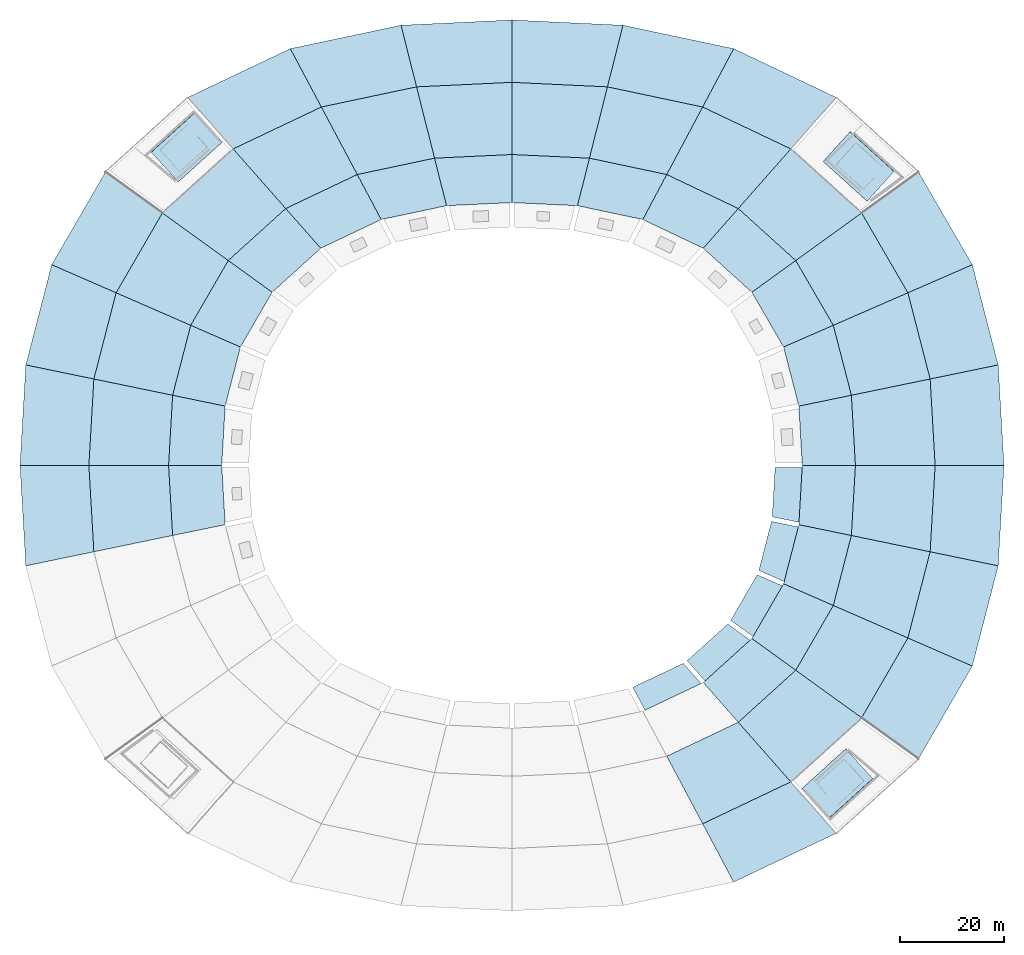
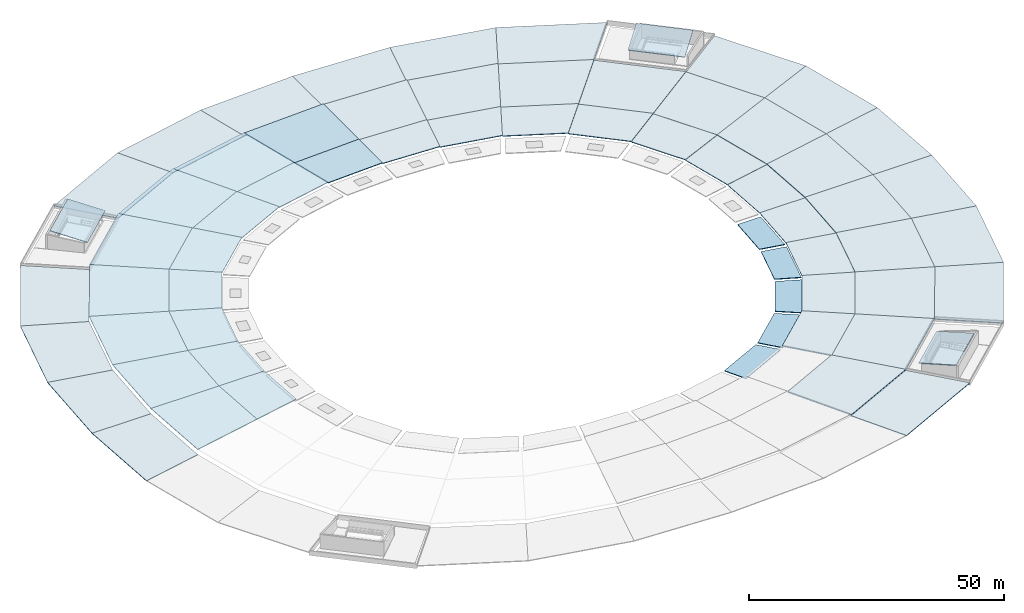
# One storey, part 3 of 5: 64 roofs.
"""IFC4 building model written with IfcOpenShell, lengths in metres."""

from ifc_helpers import new_model, si_unit, direction, frame, origin, place, context, subcontext, project, spatial, polyline, outline, extrude, material, layer, layer_set, type_object, element, save


model = new_model("IFC4")

# Units and contexts
model_context = context("Model", 3, precision=1e-05, world=origin(), true_north=direction((0.0, 1.0)))
body_context = subcontext(model_context, "Body", "Model", "MODEL_VIEW")
ifc_project = project(units=[si_unit("LENGTHUNIT", "METRE"), si_unit("AREAUNIT", "SQUARE_METRE"), si_unit("VOLUMEUNIT", "CUBIC_METRE"), si_unit("PLANEANGLEUNIT", "RADIAN"), si_unit("MASSUNIT", "GRAM", prefix="KILO")], contexts=[model_context])

# Site, building, storey
site_placement = place(None, origin())
site = spatial("IfcSite", under=ifc_project, at=site_placement, CompositionType="ELEMENT")
building_placement = place(site_placement, origin())
building = spatial("IfcBuilding", under=site, at=building_placement, Name="Kazemori Nagisa Stadium", CompositionType="ELEMENT")
storey_placement = place(building_placement, frame((0.0, 0.0, 42.159912109375)))
storey = spatial("IfcBuildingStorey", under=building, at=storey_placement, Name="ROOF", CompositionType="ELEMENT", Elevation=42.159912109375)

# Roofs
ifc_material = material(Name="Steel S355 (SN490B)", Category="steel")
ifc_layer = layer(ifc_material, 0.159912109375, Name="Steel S355 (SN490B)", Category="steel")
ifc_layer_set = layer_set([ifc_layer], Name="Steel S355 (SN490B)")
roof_type = type_object("IfcRoofType", Name="Roof_RF-CANOPY", PredefinedType="FREEFORM", material=ifc_layer_set)
roof_1_placement = place(storey_placement, frame((191.56982421875, 153.008544921875, 2.39013671875), z_axis=(-0.098497799083, -0.108806528187, 0.989171028185), x_axis=(-0.741358588876, 0.671109113854, -1.149066e-06)))
element("IfcRoof", 1, at=roof_1_placement, inside=storey, type_object=roof_type, Name="Stair headhouse pitched roof ROOF-B04", PredefinedType="FREEFORM", context=body_context, shape_type="SweptSolid", body=[
    extrude(outline(polyline([(0.0, 0.0), (11.4338207163621, 0.0), (11.433814147982389, -7.834950317376819), (-0.00017041337820971537, -7.834771281597817), (0.0, 0.0)])), origin(), (0.0, 0.0, -1.0), 0.159912109375),
])
for number, where, z_axis, x_axis, name in (
    (2, (67.00830078125, 164.39501953125, 2.39013671875), (0.09849978566, -0.108806991763, 0.989170779375), (-0.741348079794, -0.671120722811, 0.0), "Stair headhouse pitched roof ROOF-B11"),
    (3, (178.99169921875, 39.60498046875, 2.39013671875), (-0.09849978566, 0.108806991763, 0.989170779375), (0.741348079794, 0.671120722811, 0.0), "Stair headhouse pitched roof ROOF-B25"),
):
    element("IfcRoof", number, at=place(storey_placement, frame(where, z_axis=z_axis, x_axis=x_axis)), inside=storey, type_object=roof_type, Name=name, PredefinedType="FREEFORM", context=body_context, shape_type="SweptSolid", body=[
        extrude(outline(polyline([(0.0, 0.0), (11.433984562770004, 0.0), (11.434032297636989, -7.8347712833169805), (4.7734866984505686e-05, -7.83477128331698), (0.0, 0.0)])), origin(), (0.0, 0.0, -1.0), 0.159912109375),
    ])
roof_2_placement = place(storey_placement, frame((0.0, 0.0, 0.43505859375)))
element("IfcRoof", 4, at=roof_2_placement, inside=storey, type_object=roof_type, Name="Canopy roof deck sector B01-outer", PredefinedType="FREEFORM", context=body_context, shape_type="SweptSolid", body=[
    extrude(outline(polyline([(218.0, 102.0), (216.880859375, 121.397705078125), (203.737548828125, 118.68212890625), (204.699951171875, 102.0), (218.0, 102.0)])), origin(), (0.0, 0.0, 1.0), 0.159912109375),
])
roof_3_placement = place(storey_placement, frame((0.0, 0.0, 0.43505859375)))
element("IfcRoof", 5, at=roof_3_placement, inside=storey, type_object=roof_type, Name="Canopy roof deck sector B01-mid", PredefinedType="FREEFORM", context=body_context, shape_type="SweptSolid", body=[
    extrude(outline(polyline([(204.699951171875, 102.0), (203.737548828125, 118.68212890625), (188.52880859375, 115.53955078125), (189.31005859375, 102.0), (204.699951171875, 102.0)])), origin(), (0.0, 0.0, 1.0), 0.159912109375),
])
roof_4_placement = place(storey_placement, frame((0.0, 0.0, 0.273193359375)))
element("IfcRoof", 6, at=roof_4_placement, inside=storey, type_object=roof_type, Name="Canopy roof deck sector B01-inner", PredefinedType="FREEFORM", context=body_context, shape_type="SweptSolid", body=[
    extrude(outline(polyline([(189.31005859375, 102.0), (188.52880859375, 115.53955078125), (178.3896484375, 113.444580078125), (179.050048828125, 102.0), (189.31005859375, 102.0)])), origin(), (0.0, 0.0, 1.0), 0.159912109375),
])
roof_5_placement = place(storey_placement, frame((0.0, 0.0, 0.43505859375)))
element("IfcRoof", 7, at=roof_5_placement, inside=storey, type_object=roof_type, Name="Canopy roof deck sector B02-outer", PredefinedType="FREEFORM", context=body_context, shape_type="SweptSolid", body=[
    extrude(outline(polyline([(216.880859375, 121.397705078125), (211.885009765625, 140.74951171875), (199.44091796875, 135.32470703125), (203.737548828125, 118.68212890625), (216.880859375, 121.397705078125)])), origin(), (0.0, 0.0, 1.0), 0.159912109375),
])
roof_6_placement = place(storey_placement, frame((0.0, 0.0, 0.43505859375)))
element("IfcRoof", 8, at=roof_6_placement, inside=storey, type_object=roof_type, Name="Canopy roof deck sector B02-mid", PredefinedType="FREEFORM", context=body_context, shape_type="SweptSolid", body=[
    extrude(outline(polyline([(203.737548828125, 118.68212890625), (199.44091796875, 135.32470703125), (185.041748046875, 129.047119140625), (188.52880859375, 115.53955078125), (203.737548828125, 118.68212890625)])), origin(), (0.0, 0.0, 1.0), 0.159912109375),
])
roof_7_placement = place(storey_placement, frame((0.0, 0.0, 0.3271484375)))
element("IfcRoof", 9, at=roof_7_placement, inside=storey, type_object=roof_type, Name="Canopy roof deck sector B02-inner", PredefinedType="FREEFORM", context=body_context, shape_type="SweptSolid", body=[
    extrude(outline(polyline([(188.52880859375, 115.53955078125), (185.041748046875, 129.047119140625), (175.442138671875, 124.8623046875), (178.3896484375, 113.444580078125), (188.52880859375, 115.53955078125)])), origin(), (0.0, 0.0, 1.0), 0.159912109375),
])
roof_8_placement = place(storey_placement, frame((0.0, 0.0, 0.43505859375)))
element("IfcRoof", 10, at=roof_8_placement, inside=storey, type_object=roof_type, Name="Canopy roof deck sector B03-outer", PredefinedType="FREEFORM", context=body_context, shape_type="SweptSolid", body=[
    extrude(outline(polyline([(211.885009765625, 140.74951171875), (201.495361328125, 158.667724609375), (190.506103515625, 150.734130859375), (199.44091796875, 135.32470703125), (211.885009765625, 140.74951171875)])), origin(), (0.0, 0.0, 1.0), 0.159912109375),
])
roof_9_placement = place(storey_placement, frame((0.0, 0.0, 0.43505859375)))
element("IfcRoof", 11, at=roof_9_placement, inside=storey, type_object=roof_type, Name="Canopy roof deck sector B03-mid", PredefinedType="FREEFORM", context=body_context, shape_type="SweptSolid", body=[
    extrude(outline(polyline([(199.44091796875, 135.32470703125), (190.506103515625, 150.734130859375), (177.789794921875, 141.553955078125), (185.041748046875, 129.047119140625), (199.44091796875, 135.32470703125)])), origin(), (0.0, 0.0, 1.0), 0.159912109375),
])
roof_10_placement = place(storey_placement, frame((0.0, 0.0, 0.4130859375)))
element("IfcRoof", 12, at=roof_10_placement, inside=storey, type_object=roof_type, Name="Canopy roof deck sector B03-inner", PredefinedType="FREEFORM", context=body_context, shape_type="SweptSolid", body=[
    extrude(outline(polyline([(185.041748046875, 129.047119140625), (177.789794921875, 141.553955078125), (169.312255859375, 135.433837890625), (175.442138671875, 124.8623046875), (185.041748046875, 129.047119140625)])), origin(), (0.0, 0.0, 1.0), 0.159912109375),
])
roof_11_placement = place(storey_placement, frame((0.0, 0.0, 0.528076171875)))
element("IfcRoof", 13, at=roof_11_placement, inside=storey, type_object=roof_type, Name="Canopy roof deck sector B04-mid", PredefinedType="FREEFORM", context=body_context, shape_type="SweptSolid", body=[
    extrude(outline(polyline([(190.506103515625, 150.734130859375), (176.834228515625, 163.11083984375), (166.693359375, 151.59912109375), (177.789794921875, 141.553955078125), (190.506103515625, 150.734130859375)])), origin(), (0.0, 0.0, 1.0), 0.159912109375),
])
roof_12_placement = place(storey_placement, frame((0.0, 0.0, 0.528076171875)))
element("IfcRoof", 14, at=roof_12_placement, inside=storey, type_object=roof_type, Name="Canopy roof deck sector B04-inner", PredefinedType="FREEFORM", context=body_context, shape_type="SweptSolid", body=[
    extrude(outline(polyline([(177.789794921875, 141.553955078125), (166.693359375, 151.59912109375), (159.932861328125, 143.9248046875), (169.312255859375, 135.433837890625), (177.789794921875, 141.553955078125)])), origin(), (0.0, 0.0, 1.0), 0.159912109375),
])
roof_13_placement = place(storey_placement, frame((0.0, 0.0, 0.43505859375)))
element("IfcRoof", 15, at=roof_13_placement, inside=storey, type_object=roof_type, Name="Canopy roof deck sector B05-outer", PredefinedType="FREEFORM", context=body_context, shape_type="SweptSolid", body=[
    extrude(outline(polyline([(185.597900390625, 173.05908203125), (165.8046875, 182.46435546875), (159.81201171875, 171.19921875), (176.834228515625, 163.11083984375), (185.597900390625, 173.05908203125)])), origin(), (0.0, 0.0, 1.0), 0.159912109375),
])
roof_14_placement = place(storey_placement, frame((0.0, 0.0, 0.6650390625)))
element("IfcRoof", 16, at=roof_14_placement, inside=storey, type_object=roof_type, Name="Canopy roof deck sector B05-mid", PredefinedType="FREEFORM", context=body_context, shape_type="SweptSolid", body=[
    extrude(outline(polyline([(176.834228515625, 163.11083984375), (159.81201171875, 171.19921875), (152.877685546875, 158.1640625), (166.693359375, 151.59912109375), (176.834228515625, 163.11083984375)])), origin(), (0.0, 0.0, 1.0), 0.16015625),
])
roof_15_placement = place(storey_placement, frame((0.0, 0.0, 0.6650390625)))
element("IfcRoof", 17, at=roof_15_placement, inside=storey, type_object=roof_type, Name="Canopy roof deck sector B05-inner", PredefinedType="FREEFORM", context=body_context, shape_type="SweptSolid", body=[
    extrude(outline(polyline([(166.693359375, 151.59912109375), (152.877685546875, 158.1640625), (148.2548828125, 149.473876953125), (159.932861328125, 143.9248046875), (166.693359375, 151.59912109375)])), origin(), (0.0, 0.0, 1.0), 0.16015625),
])
roof_16_placement = place(storey_placement, frame((0.0, 0.0, 0.43505859375)))
element("IfcRoof", 18, at=roof_16_placement, inside=storey, type_object=roof_type, Name="Canopy roof deck sector B06-outer", PredefinedType="FREEFORM", context=body_context, shape_type="SweptSolid", body=[
    extrude(outline(polyline([(165.8046875, 182.46435546875), (144.427734375, 186.98681640625), (141.427734375, 175.088623046875), (159.81201171875, 171.19921875), (165.8046875, 182.46435546875)])), origin(), (0.0, 0.0, 1.0), 0.159912109375),
])
roof_17_placement = place(storey_placement, frame((0.0, 0.0, 0.819091796875)))
element("IfcRoof", 19, at=roof_17_placement, inside=storey, type_object=roof_type, Name="Canopy roof deck sector B06-mid", PredefinedType="FREEFORM", context=body_context, shape_type="SweptSolid", body=[
    extrude(outline(polyline([(159.81201171875, 171.19921875), (141.427734375, 175.088623046875), (137.95654296875, 161.32080078125), (152.877685546875, 158.1640625), (159.81201171875, 171.19921875)])), origin(), (0.0, 0.0, 1.0), 0.159912109375),
])
roof_18_placement = place(storey_placement, frame((0.0, 0.0, 0.819091796875)))
element("IfcRoof", 20, at=roof_18_placement, inside=storey, type_object=roof_type, Name="Canopy roof deck sector B06-inner", PredefinedType="FREEFORM", context=body_context, shape_type="SweptSolid", body=[
    extrude(outline(polyline([(152.877685546875, 158.1640625), (137.95654296875, 161.32080078125), (135.642333984375, 152.142333984375), (148.2548828125, 149.473876953125), (152.877685546875, 158.1640625)])), origin(), (0.0, 0.0, 1.0), 0.159912109375),
])
roof_19_placement = place(storey_placement, frame((0.0, 0.0, 0.43505859375)))
element("IfcRoof", 21, at=roof_19_placement, inside=storey, type_object=roof_type, Name="Canopy roof deck sector B07-outer", PredefinedType="FREEFORM", context=body_context, shape_type="SweptSolid", body=[
    extrude(outline(polyline([(144.427734375, 186.98681640625), (123.0, 188.0), (123.0, 175.9599609375), (141.427734375, 175.088623046875), (144.427734375, 186.98681640625)])), origin(), (0.0, 0.0, 1.0), 0.159912109375),
])
roof_20_placement = place(storey_placement, frame((0.0, 0.0, 0.97998046875)))
element("IfcRoof", 22, at=roof_20_placement, inside=storey, type_object=roof_type, Name="Canopy roof deck sector B07-mid", PredefinedType="FREEFORM", context=body_context, shape_type="SweptSolid", body=[
    extrude(outline(polyline([(141.427734375, 175.088623046875), (123.0, 175.9599609375), (123.0, 162.028076171875), (137.95654296875, 161.32080078125), (141.427734375, 175.088623046875)])), origin(), (0.0, 0.0, 1.0), 0.16015625),
])
roof_21_placement = place(storey_placement, frame((0.0, 0.0, 0.97998046875)))
element("IfcRoof", 23, at=roof_21_placement, inside=storey, type_object=roof_type, Name="Canopy roof deck sector B07-inner", PredefinedType="FREEFORM", context=body_context, shape_type="SweptSolid", body=[
    extrude(outline(polyline([(137.95654296875, 161.32080078125), (123.0, 162.028076171875), (123.0, 152.739990234375), (135.642333984375, 152.142333984375), (137.95654296875, 161.32080078125)])), origin(), (0.0, 0.0, 1.0), 0.16015625),
])
roof_22_placement = place(storey_placement, frame((0.0, 0.0, 0.43505859375)))
element("IfcRoof", 24, at=roof_22_placement, inside=storey, type_object=roof_type, Name="Canopy roof deck sector B08-outer", PredefinedType="FREEFORM", context=body_context, shape_type="SweptSolid", body=[
    extrude(outline(polyline([(123.0, 188.0), (101.572265625, 186.98681640625), (104.572265625, 175.088623046875), (123.0, 175.9599609375), (123.0, 188.0)])), origin(), (0.0, 0.0, 1.0), 0.159912109375),
])
roof_23_placement = place(storey_placement, frame((0.0, 0.0, 1.14111328125)))
element("IfcRoof", 25, at=roof_23_placement, inside=storey, type_object=roof_type, Name="Canopy roof deck sector B08-mid", PredefinedType="FREEFORM", context=body_context, shape_type="SweptSolid", body=[
    extrude(outline(polyline([(123.0, 175.9599609375), (104.572265625, 175.088623046875), (108.04345703125, 161.32080078125), (123.0, 162.028076171875), (123.0, 175.9599609375)])), origin(), (0.0, 0.0, 1.0), 0.159912109375),
])
roof_24_placement = place(storey_placement, frame((0.0, 0.0, 1.14111328125)))
element("IfcRoof", 26, at=roof_24_placement, inside=storey, type_object=roof_type, Name="Canopy roof deck sector B08-inner", PredefinedType="FREEFORM", context=body_context, shape_type="SweptSolid", body=[
    extrude(outline(polyline([(123.0, 162.028076171875), (108.04345703125, 161.32080078125), (110.357666015625, 152.142333984375), (123.0, 152.739990234375), (123.0, 162.028076171875)])), origin(), (0.0, 0.0, 1.0), 0.159912109375),
])
roof_25_placement = place(storey_placement, frame((0.0, 0.0, 0.43505859375)))
element("IfcRoof", 27, at=roof_25_placement, inside=storey, type_object=roof_type, Name="Canopy roof deck sector B09-outer", PredefinedType="FREEFORM", context=body_context, shape_type="SweptSolid", body=[
    extrude(outline(polyline([(101.572265625, 186.98681640625), (80.1953125, 182.46435546875), (86.18798828125, 171.19921875), (104.572265625, 175.088623046875), (101.572265625, 186.98681640625)])), origin(), (0.0, 0.0, 1.0), 0.159912109375),
])
roof_26_placement = place(storey_placement, frame((0.0, 0.0, 1.295166015625)))
element("IfcRoof", 28, at=roof_26_placement, inside=storey, type_object=roof_type, Name="Canopy roof deck sector B09-mid", PredefinedType="FREEFORM", context=body_context, shape_type="SweptSolid", body=[
    extrude(outline(polyline([(104.572265625, 175.088623046875), (86.18798828125, 171.19921875), (93.122314453125, 158.1640625), (108.04345703125, 161.32080078125), (104.572265625, 175.088623046875)])), origin(), (0.0, 0.0, 1.0), 0.159912109375),
])
roof_27_placement = place(storey_placement, frame((0.0, 0.0, 1.295166015625)))
element("IfcRoof", 29, at=roof_27_placement, inside=storey, type_object=roof_type, Name="Canopy roof deck sector B09-inner", PredefinedType="FREEFORM", context=body_context, shape_type="SweptSolid", body=[
    extrude(outline(polyline([(108.04345703125, 161.32080078125), (93.122314453125, 158.1640625), (97.7451171875, 149.473876953125), (110.357666015625, 152.142333984375), (108.04345703125, 161.32080078125)])), origin(), (0.0, 0.0, 1.0), 0.159912109375),
])
roof_28_placement = place(storey_placement, frame((0.0, 0.0, 0.43505859375)))
element("IfcRoof", 30, at=roof_28_placement, inside=storey, type_object=roof_type, Name="Canopy roof deck sector B10-outer", PredefinedType="FREEFORM", context=body_context, shape_type="SweptSolid", body=[
    extrude(outline(polyline([(80.1953125, 182.46435546875), (60.402099609375, 173.05908203125), (69.165771484375, 163.11083984375), (86.18798828125, 171.19921875), (80.1953125, 182.46435546875)])), origin(), (0.0, 0.0, 1.0), 0.159912109375),
])
roof_29_placement = place(storey_placement, frame((0.0, 0.0, 1.43212890625)))
element("IfcRoof", 31, at=roof_29_placement, inside=storey, type_object=roof_type, Name="Canopy roof deck sector B10-mid", PredefinedType="FREEFORM", context=body_context, shape_type="SweptSolid", body=[
    extrude(outline(polyline([(86.18798828125, 171.19921875), (69.165771484375, 163.11083984375), (79.306640625, 151.59912109375), (93.122314453125, 158.1640625), (86.18798828125, 171.19921875)])), origin(), (0.0, 0.0, 1.0), 0.159912109375),
])
roof_30_placement = place(storey_placement, frame((0.0, 0.0, 1.43212890625)))
element("IfcRoof", 32, at=roof_30_placement, inside=storey, type_object=roof_type, Name="Canopy roof deck sector B10-inner", PredefinedType="FREEFORM", context=body_context, shape_type="SweptSolid", body=[
    extrude(outline(polyline([(93.122314453125, 158.1640625), (79.306640625, 151.59912109375), (86.067138671875, 143.9248046875), (97.7451171875, 149.473876953125), (93.122314453125, 158.1640625)])), origin(), (0.0, 0.0, 1.0), 0.159912109375),
])
roof_31_placement = place(storey_placement, frame((0.0, 0.0, 1.547119140625)))
element("IfcRoof", 33, at=roof_31_placement, inside=storey, type_object=roof_type, Name="Canopy roof deck sector B11-mid", PredefinedType="FREEFORM", context=body_context, shape_type="SweptSolid", body=[
    extrude(outline(polyline([(69.165771484375, 163.11083984375), (55.493896484375, 150.734130859375), (68.210205078125, 141.553955078125), (79.306640625, 151.59912109375), (69.165771484375, 163.11083984375)])), origin(), (0.0, 0.0, 1.0), 0.159912109375),
])
roof_32_placement = place(storey_placement, frame((0.0, 0.0, 1.547119140625)))
element("IfcRoof", 34, at=roof_32_placement, inside=storey, type_object=roof_type, Name="Canopy roof deck sector B11-inner", PredefinedType="FREEFORM", context=body_context, shape_type="SweptSolid", body=[
    extrude(outline(polyline([(79.306640625, 151.59912109375), (68.210205078125, 141.553955078125), (76.687744140625, 135.433837890625), (86.067138671875, 143.9248046875), (79.306640625, 151.59912109375)])), origin(), (0.0, 0.0, 1.0), 0.159912109375),
])
roof_33_placement = place(storey_placement, frame((0.0, 0.0, 0.43505859375)))
element("IfcRoof", 35, at=roof_33_placement, inside=storey, type_object=roof_type, Name="Canopy roof deck sector B12-outer", PredefinedType="FREEFORM", context=body_context, shape_type="SweptSolid", body=[
    extrude(outline(polyline([(44.504638671875, 158.667724609375), (34.114990234375, 140.74951171875), (46.55908203125, 135.32470703125), (55.493896484375, 150.734130859375), (44.504638671875, 158.667724609375)])), origin(), (0.0, 0.0, 1.0), 0.159912109375),
])
roof_34_placement = place(storey_placement, frame((0.0, 0.0, 1.633056640625)))
element("IfcRoof", 36, at=roof_34_placement, inside=storey, type_object=roof_type, Name="Canopy roof deck sector B12-mid", PredefinedType="FREEFORM", context=body_context, shape_type="SweptSolid", body=[
    extrude(outline(polyline([(55.493896484375, 150.734130859375), (46.55908203125, 135.32470703125), (60.958251953125, 129.047119140625), (68.210205078125, 141.553955078125), (55.493896484375, 150.734130859375)])), origin(), (0.0, 0.0, 1.0), 0.159912109375),
])
roof_35_placement = place(storey_placement, frame((0.0, 0.0, 1.633056640625)))
element("IfcRoof", 37, at=roof_35_placement, inside=storey, type_object=roof_type, Name="Canopy roof deck sector B12-inner", PredefinedType="FREEFORM", context=body_context, shape_type="SweptSolid", body=[
    extrude(outline(polyline([(68.210205078125, 141.553955078125), (60.958251953125, 129.047119140625), (70.557861328125, 124.8623046875), (76.687744140625, 135.433837890625), (68.210205078125, 141.553955078125)])), origin(), (0.0, 0.0, 1.0), 0.159912109375),
])
roof_36_placement = place(storey_placement, frame((0.0, 0.0, 0.43505859375)))
element("IfcRoof", 38, at=roof_36_placement, inside=storey, type_object=roof_type, Name="Canopy roof deck sector B13-outer", PredefinedType="FREEFORM", context=body_context, shape_type="SweptSolid", body=[
    extrude(outline(polyline([(34.114990234375, 140.74951171875), (29.119140625, 121.397705078125), (42.262451171875, 118.68212890625), (46.55908203125, 135.32470703125), (34.114990234375, 140.74951171875)])), origin(), (0.0, 0.0, 1.0), 0.159912109375),
])
roof_37_placement = place(storey_placement, frame((0.0, 0.0, 1.68701171875)))
element("IfcRoof", 39, at=roof_37_placement, inside=storey, type_object=roof_type, Name="Canopy roof deck sector B13-mid", PredefinedType="FREEFORM", context=body_context, shape_type="SweptSolid", body=[
    extrude(outline(polyline([(46.55908203125, 135.32470703125), (42.262451171875, 118.68212890625), (57.47119140625, 115.53955078125), (60.958251953125, 129.047119140625), (46.55908203125, 135.32470703125)])), origin(), (0.0, 0.0, 1.0), 0.16015625),
])
roof_38_placement = place(storey_placement, frame((0.0, 0.0, 1.68701171875)))
element("IfcRoof", 40, at=roof_38_placement, inside=storey, type_object=roof_type, Name="Canopy roof deck sector B13-inner", PredefinedType="FREEFORM", context=body_context, shape_type="SweptSolid", body=[
    extrude(outline(polyline([(60.958251953125, 129.047119140625), (57.47119140625, 115.53955078125), (67.6103515625, 113.444580078125), (70.557861328125, 124.8623046875), (60.958251953125, 129.047119140625)])), origin(), (0.0, 0.0, 1.0), 0.16015625),
])
roof_39_placement = place(storey_placement, frame((0.0, 0.0, 0.43505859375)))
element("IfcRoof", 41, at=roof_39_placement, inside=storey, type_object=roof_type, Name="Canopy roof deck sector B14-outer", PredefinedType="FREEFORM", context=body_context, shape_type="SweptSolid", body=[
    extrude(outline(polyline([(29.119140625, 121.397705078125), (28.0, 102.0), (41.300048828125, 102.0), (42.262451171875, 118.68212890625), (29.119140625, 121.397705078125)])), origin(), (0.0, 0.0, 1.0), 0.159912109375),
])
roof_40_placement = place(storey_placement, frame((0.0, 0.0, 1.705078125)))
element("IfcRoof", 42, at=roof_40_placement, inside=storey, type_object=roof_type, Name="Canopy roof deck sector B14-mid", PredefinedType="FREEFORM", context=body_context, shape_type="SweptSolid", body=[
    extrude(outline(polyline([(42.262451171875, 118.68212890625), (41.300048828125, 102.0), (56.68994140625, 102.0), (57.47119140625, 115.53955078125), (42.262451171875, 118.68212890625)])), origin(), (0.0, 0.0, 1.0), 0.159912109375),
])
roof_41_placement = place(storey_placement, frame((0.0, 0.0, 1.705078125)))
element("IfcRoof", 43, at=roof_41_placement, inside=storey, type_object=roof_type, Name="Canopy roof deck sector B14-inner", PredefinedType="FREEFORM", context=body_context, shape_type="SweptSolid", body=[
    extrude(outline(polyline([(57.47119140625, 115.53955078125), (56.68994140625, 102.0), (66.949951171875, 102.0), (67.6103515625, 113.444580078125), (57.47119140625, 115.53955078125)])), origin(), (0.0, 0.0, 1.0), 0.159912109375),
])
roof_42_placement = place(storey_placement, frame((0.0, 0.0, 0.43505859375)))
element("IfcRoof", 44, at=roof_42_placement, inside=storey, type_object=roof_type, Name="Canopy roof deck sector B15-outer", PredefinedType="FREEFORM", context=body_context, shape_type="SweptSolid", body=[
    extrude(outline(polyline([(28.0, 102.0), (29.119140625, 82.602294921875), (42.262451171875, 85.31787109375), (41.300048828125, 102.0), (28.0, 102.0)])), origin(), (0.0, 0.0, 1.0), 0.159912109375),
])
roof_43_placement = place(storey_placement, frame((0.0, 0.0, 1.705078125)))
element("IfcRoof", 45, at=roof_43_placement, inside=storey, type_object=roof_type, Name="Canopy roof deck sector B15-mid", PredefinedType="FREEFORM", context=body_context, shape_type="SweptSolid", body=[
    extrude(outline(polyline([(41.300048828125, 102.0), (42.262451171875, 85.31787109375), (57.47119140625, 88.46044921875), (56.68994140625, 102.0), (41.300048828125, 102.0)])), origin(), (0.0, 0.0, 1.0), 0.159912109375),
])
roof_44_placement = place(storey_placement, frame((0.0, 0.0, 1.705078125)))
element("IfcRoof", 46, at=roof_44_placement, inside=storey, type_object=roof_type, Name="Canopy roof deck sector B15-inner", PredefinedType="FREEFORM", context=body_context, shape_type="SweptSolid", body=[
    extrude(outline(polyline([(56.68994140625, 102.0), (57.47119140625, 88.46044921875), (67.6103515625, 90.555419921875), (66.949951171875, 102.0), (56.68994140625, 102.0)])), origin(), (0.0, 0.0, 1.0), 0.159912109375),
])
roof_45_placement = place(storey_placement, frame((0.0, 0.0, 0.43505859375)))
element("IfcRoof", 47, at=roof_45_placement, inside=storey, type_object=roof_type, Name="Canopy roof deck sector B24-outer", PredefinedType="FREEFORM", context=body_context, shape_type="SweptSolid", body=[
    extrude(outline(polyline([(165.8046875, 21.53564453125), (185.597900390625, 30.94091796875), (176.834228515625, 40.88916015625), (159.81201171875, 32.80078125), (165.8046875, 21.53564453125)])), origin(), (0.0, 0.0, 1.0), 0.159912109375),
])
roof_46_placement = place(storey_placement, frame((0.0, 0.0, 0.6650390625)))
element("IfcRoof", 48, at=roof_46_placement, inside=storey, type_object=roof_type, Name="Canopy roof deck sector B24-mid", PredefinedType="FREEFORM", context=body_context, shape_type="SweptSolid", body=[
    extrude(outline(polyline([(159.81201171875, 32.80078125), (176.834228515625, 40.88916015625), (166.693359375, 52.40087890625), (152.877685546875, 45.8359375), (159.81201171875, 32.80078125)])), origin(), (0.0, 0.0, 1.0), 0.16015625),
])
roof_47_placement = place(storey_placement, frame((0.0, 0.0, -0.02685546875)))
element("IfcRoof", 49, at=roof_47_placement, inside=storey, type_object=roof_type, Name="Canopy oculus roof deck B24", PredefinedType="FREEFORM", context=body_context, shape_type="SweptSolid", body=[
    extrude(outline(polyline([(146.306884765625, 59.144775390625), (156.08349609375, 63.790283203125), (159.5263671875, 59.882080078125), (148.6611328125, 54.71923828125), (146.306884765625, 59.144775390625)])), origin(), (0.0, 0.0, 1.0), 0.159912109375),
])
roof_48_placement = place(storey_placement, frame((0.0, 0.0, 0.528076171875)))
element("IfcRoof", 50, at=roof_48_placement, inside=storey, type_object=roof_type, Name="Canopy roof deck sector B25-mid", PredefinedType="FREEFORM", context=body_context, shape_type="SweptSolid", body=[
    extrude(outline(polyline([(176.834228515625, 40.88916015625), (190.506103515625, 53.265869140625), (177.789794921875, 62.446044921875), (166.693359375, 52.40087890625), (176.834228515625, 40.88916015625)])), origin(), (0.0, 0.0, 1.0), 0.159912109375),
])
roof_49_placement = place(storey_placement, frame((0.0, 0.0, 0.528076171875)))
element("IfcRoof", 51, at=roof_49_placement, inside=storey, type_object=roof_type, Name="Canopy roof deck sector B25-inner", PredefinedType="FREEFORM", context=body_context, shape_type="SweptSolid", body=[
    extrude(outline(polyline([(166.693359375, 52.40087890625), (177.789794921875, 62.446044921875), (169.312255859375, 68.566162109375), (159.932861328125, 60.0751953125), (166.693359375, 52.40087890625)])), origin(), (0.0, 0.0, 1.0), 0.159912109375),
])
roof_50_placement = place(storey_placement, frame((0.0, 0.0, -0.14990234375)))
element("IfcRoof", 52, at=roof_50_placement, inside=storey, type_object=roof_type, Name="Canopy oculus roof deck B25", PredefinedType="FREEFORM", context=body_context, shape_type="SweptSolid", body=[
    extrude(outline(polyline([(156.823486328125, 64.285400390625), (164.661376953125, 71.380859375), (168.978759765625, 68.26416015625), (160.266357421875, 60.377197265625), (156.823486328125, 64.285400390625)])), origin(), (0.0, 0.0, 1.0), 0.159912109375),
])
roof_51_placement = place(storey_placement, frame((0.0, 0.0, 0.43505859375)))
element("IfcRoof", 53, at=roof_51_placement, inside=storey, type_object=roof_type, Name="Canopy roof deck sector B26-outer", PredefinedType="FREEFORM", context=body_context, shape_type="SweptSolid", body=[
    extrude(outline(polyline([(201.495361328125, 45.332275390625), (211.885009765625, 63.25048828125), (199.44091796875, 68.67529296875), (190.506103515625, 53.265869140625), (201.495361328125, 45.332275390625)])), origin(), (0.0, 0.0, 1.0), 0.159912109375),
])
roof_52_placement = place(storey_placement, frame((0.0, 0.0, 0.43505859375)))
element("IfcRoof", 54, at=roof_52_placement, inside=storey, type_object=roof_type, Name="Canopy roof deck sector B26-mid", PredefinedType="FREEFORM", context=body_context, shape_type="SweptSolid", body=[
    extrude(outline(polyline([(190.506103515625, 53.265869140625), (199.44091796875, 68.67529296875), (185.041748046875, 74.952880859375), (177.789794921875, 62.446044921875), (190.506103515625, 53.265869140625)])), origin(), (0.0, 0.0, 1.0), 0.159912109375),
])
roof_53_placement = place(storey_placement, frame((0.0, 0.0, 0.4130859375)))
element("IfcRoof", 55, at=roof_53_placement, inside=storey, type_object=roof_type, Name="Canopy roof deck sector B26-inner", PredefinedType="FREEFORM", context=body_context, shape_type="SweptSolid", body=[
    extrude(outline(polyline([(177.789794921875, 62.446044921875), (185.041748046875, 74.952880859375), (175.442138671875, 79.1376953125), (169.312255859375, 68.566162109375), (177.789794921875, 62.446044921875)])), origin(), (0.0, 0.0, 1.0), 0.159912109375),
])
roof_54_placement = place(storey_placement, frame((0.0, 0.0, -0.2529296875)))
element("IfcRoof", 56, at=roof_54_placement, inside=storey, type_object=roof_type, Name="Canopy oculus roof deck B26", PredefinedType="FREEFORM", context=body_context, shape_type="SweptSolid", body=[
    extrude(outline(polyline([(165.220703125, 72.072021484375), (170.32763671875, 80.879638671875), (175.21630859375, 78.74853515625), (169.5380859375, 68.955322265625), (165.220703125, 72.072021484375)])), origin(), (0.0, 0.0, 1.0), 0.159912109375),
])
roof_55_placement = place(storey_placement, frame((0.0, 0.0, 0.43505859375)))
element("IfcRoof", 57, at=roof_55_placement, inside=storey, type_object=roof_type, Name="Canopy roof deck sector B27-outer", PredefinedType="FREEFORM", context=body_context, shape_type="SweptSolid", body=[
    extrude(outline(polyline([(211.885009765625, 63.25048828125), (216.880859375, 82.602294921875), (203.737548828125, 85.31787109375), (199.44091796875, 68.67529296875), (211.885009765625, 63.25048828125)])), origin(), (0.0, 0.0, 1.0), 0.159912109375),
])
roof_56_placement = place(storey_placement, frame((0.0, 0.0, 0.43505859375)))
element("IfcRoof", 58, at=roof_56_placement, inside=storey, type_object=roof_type, Name="Canopy roof deck sector B27-mid", PredefinedType="FREEFORM", context=body_context, shape_type="SweptSolid", body=[
    extrude(outline(polyline([(199.44091796875, 68.67529296875), (203.737548828125, 85.31787109375), (188.52880859375, 88.46044921875), (185.041748046875, 74.952880859375), (199.44091796875, 68.67529296875)])), origin(), (0.0, 0.0, 1.0), 0.159912109375),
])
roof_57_placement = place(storey_placement, frame((0.0, 0.0, 0.3271484375)))
element("IfcRoof", 59, at=roof_57_placement, inside=storey, type_object=roof_type, Name="Canopy roof deck sector B27-inner", PredefinedType="FREEFORM", context=body_context, shape_type="SweptSolid", body=[
    extrude(outline(polyline([(185.041748046875, 74.952880859375), (188.52880859375, 88.46044921875), (178.3896484375, 90.555419921875), (175.442138671875, 79.1376953125), (185.041748046875, 74.952880859375)])), origin(), (0.0, 0.0, 1.0), 0.159912109375),
])
roof_58_placement = place(storey_placement, frame((0.0, 0.0, -0.330810546875)))
element("IfcRoof", 60, at=roof_58_placement, inside=storey, type_object=roof_type, Name="Canopy oculus roof deck B27", PredefinedType="FREEFORM", context=body_context, shape_type="SweptSolid", body=[
    extrude(outline(polyline([(170.666015625, 81.70458984375), (173.11376953125, 91.1865234375), (178.277099609375, 90.11962890625), (175.5546875, 79.573486328125), (170.666015625, 81.70458984375)])), origin(), (0.0, 0.0, 1.0), 0.159912109375),
])
roof_59_placement = place(storey_placement, frame((0.0, 0.0, 0.43505859375)))
element("IfcRoof", 61, at=roof_59_placement, inside=storey, type_object=roof_type, Name="Canopy roof deck sector B28-outer", PredefinedType="FREEFORM", context=body_context, shape_type="SweptSolid", body=[
    extrude(outline(polyline([(216.880859375, 82.602294921875), (218.0, 102.0), (204.699951171875, 102.0), (203.737548828125, 85.31787109375), (216.880859375, 82.602294921875)])), origin(), (0.0, 0.0, 1.0), 0.159912109375),
])
roof_60_placement = place(storey_placement, frame((0.0, 0.0, 0.43505859375)))
element("IfcRoof", 62, at=roof_60_placement, inside=storey, type_object=roof_type, Name="Canopy roof deck sector B28-mid", PredefinedType="FREEFORM", context=body_context, shape_type="SweptSolid", body=[
    extrude(outline(polyline([(203.737548828125, 85.31787109375), (204.699951171875, 102.0), (189.31005859375, 102.0), (188.52880859375, 88.46044921875), (203.737548828125, 85.31787109375)])), origin(), (0.0, 0.0, 1.0), 0.159912109375),
])
roof_61_placement = place(storey_placement, frame((0.0, 0.0, 0.273193359375)))
element("IfcRoof", 63, at=roof_61_placement, inside=storey, type_object=roof_type, Name="Canopy roof deck sector B28-inner", PredefinedType="FREEFORM", context=body_context, shape_type="SweptSolid", body=[
    extrude(outline(polyline([(188.52880859375, 88.46044921875), (189.31005859375, 102.0), (179.050048828125, 102.0), (178.3896484375, 90.555419921875), (188.52880859375, 88.46044921875)])), origin(), (0.0, 0.0, 1.0), 0.159912109375),
])
roof_62_placement = place(storey_placement, frame((0.0, 0.0, -0.37890625)))
element("IfcRoof", 64, at=roof_62_placement, inside=storey, type_object=roof_type, Name="Canopy oculus roof deck B28", PredefinedType="FREEFORM", context=body_context, shape_type="SweptSolid", body=[
    extrude(outline(polyline([(173.252197265625, 92.071533203125), (173.799072265625, 101.55078125), (179.024169921875, 101.55078125), (178.41552734375, 91.004638671875), (173.252197265625, 92.071533203125)])), origin(), (0.0, 0.0, 1.0), 0.159912109375),
])

save(model, "model.ifc")
